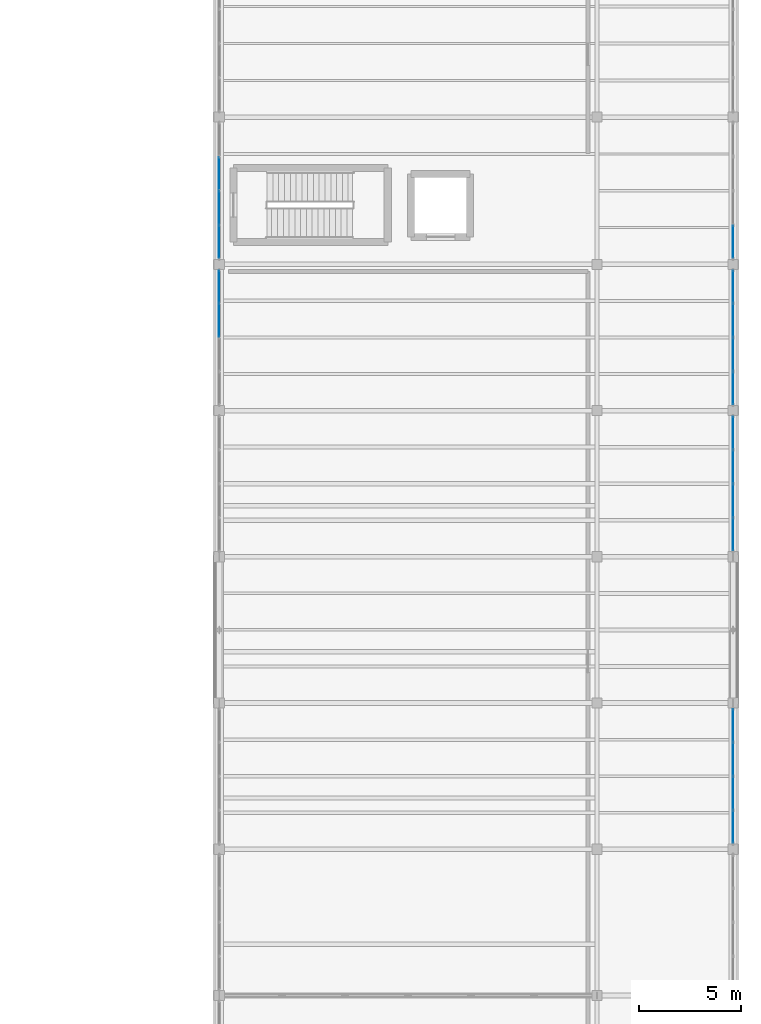
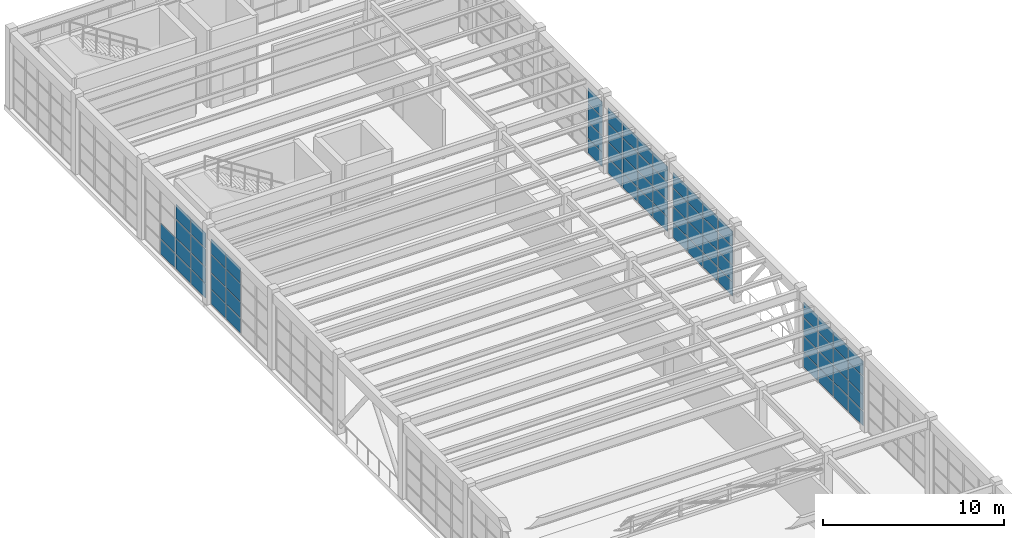
# One storey, part 81 of 103: 70 plates, 6 elements without a shape of their own.
"""IFC4 building model written with IfcOpenShell, lengths in metres."""

from ifc_helpers import new_model, si_unit, direction, frame, origin, origin_2d, place, context, subcontext, project, spatial, rectangle, extrude, material, layer, layer_set, type_object, element, aggregate, save


model = new_model("IFC4")

# Units and contexts
model_context = context("Model", 3, precision=1e-05, world=origin(), true_north=direction((0.0, 1.0)))
body_context = subcontext(model_context, "Body", "Model", "MODEL_VIEW")
ifc_project = project(units=[si_unit("LENGTHUNIT", "METRE"), si_unit("AREAUNIT", "SQUARE_METRE"), si_unit("VOLUMEUNIT", "CUBIC_METRE"), si_unit("PLANEANGLEUNIT", "RADIAN"), si_unit("MASSUNIT", "GRAM", prefix="KILO")], contexts=[model_context])

# Site, building, storey
site_placement = place(None, origin())
site = spatial("IfcSite", under=ifc_project, at=site_placement, CompositionType="ELEMENT")
building_placement = place(site_placement, origin())
building = spatial("IfcBuilding", under=site, at=building_placement, Name="Candilejo Ridge Gondola Terminal", CompositionType="ELEMENT")
storey_placement = place(building_placement, frame((0.0, 0.0, 9.0)))
storey = spatial("IfcBuildingStorey", under=building, at=storey_placement, Name="L02", CompositionType="ELEMENT", Elevation=9.0)

# Curtain wall, plates
ifc_material_1 = material(Name="Anodised aluminium AA 6063-T6", Category="aluminium")
ifc_layer_1 = layer(ifc_material_1, 0.169921875)
ifc_layer_set_1 = layer_set([ifc_layer_1], Name="ARC-CW-TOWER-3000-670X449")
curtain_wall_type_1 = type_object("IfcCurtainWallType", Name="ARC-CW-TOWER-3000-670X449", PredefinedType="NOTDEFINED", material=ifc_layer_set_1)
curtain_wall_1_placement = place(storey_placement, origin())
curtain_wall_1 = element("IfcCurtainWall", 1, at=curtain_wall_1_placement, inside=storey, type_object=curtain_wall_type_1, Name="Curtain wall V5 L02-181", PredefinedType="NOTDEFINED")
ifc_material_2 = material(Name="Low-E laminated double glazing 6+12A+6+1.52PVB+6 mm", Category="glass")
ifc_layer_2 = layer(ifc_material_2, 0.028076171875)
ifc_layer_set_2 = layer_set([ifc_layer_2], Name="ARC-CW-GLAZ-PANEL")
plate_type = type_object("IfcPlateType", Name="ARC-CW-GLAZ-PANEL", PredefinedType="CURTAIN_PANEL", material=ifc_layer_set_2)
plate_1_placement = place(storey_placement, frame((175.300048828125, 71.353759765625, 0.06005859375), z_axis=(0.0, 0.0, 1.0), x_axis=(0.0, 1.0, 0.0)))
plate_1 = element("IfcPlate", 2, at=plate_1_placement, type_object=plate_type, Name="CW-67X44 panel 1.1", PredefinedType="CURTAIN_PANEL", context=body_context, shape_type="SweptSolid", body=[
    extrude(rectangle(XDim=1.577392578125, YDim=0.028076171875, at=origin_2d()), origin(), (0.0, 0.0, 1.0), 0.9599609375),
])
plate_2_placement = place(storey_placement, frame((175.300048828125, 71.353759765625, 1.080078125), z_axis=(0.0, 0.0, 1.0), x_axis=(0.0, 1.0, 0.0)))
plate_2 = element("IfcPlate", 3, at=plate_2_placement, type_object=plate_type, Name="CW-67X44 panel 1.2", PredefinedType="CURTAIN_PANEL", context=body_context, shape_type="SweptSolid", body=[
    extrude(rectangle(XDim=1.577392578125, YDim=0.028076171875, at=origin_2d()), origin(), (0.0, 0.0, 1.0), 1.0400390625),
])
plate_3_placement = place(storey_placement, frame((175.300048828125, 71.353759765625, 2.179931640625), z_axis=(0.0, 0.0, 1.0), x_axis=(0.0, 1.0, 0.0)))
plate_3 = element("IfcPlate", 4, at=plate_3_placement, type_object=plate_type, Name="CW-67X44 panel 1.3", PredefinedType="CURTAIN_PANEL", context=body_context, shape_type="SweptSolid", body=[
    extrude(rectangle(XDim=1.577392578125, YDim=0.028076171875, at=origin_2d()), origin(), (0.0, 0.0, 1.0), 1.18994140625),
])
plate_4_placement = place(storey_placement, frame((175.300048828125, 71.353759765625, 3.429931640625), z_axis=(0.0, 0.0, 1.0), x_axis=(0.0, 1.0, 0.0)))
plate_4 = element("IfcPlate", 5, at=plate_4_placement, type_object=plate_type, Name="CW-67X44 panel 1.4", PredefinedType="CURTAIN_PANEL", context=body_context, shape_type="SweptSolid", body=[
    extrude(rectangle(XDim=1.577392578125, YDim=0.028076171875, at=origin_2d()), origin(), (0.0, 0.0, 1.0), 1.0),
])
plate_5_placement = place(storey_placement, frame((175.300048828125, 73.012451171875, 0.06005859375), z_axis=(0.0, 0.0, 1.0), x_axis=(0.0, 1.0, 0.0)))
plate_5 = element("IfcPlate", 6, at=plate_5_placement, type_object=plate_type, Name="CW-67X44 panel 2.1", PredefinedType="CURTAIN_PANEL", context=body_context, shape_type="SweptSolid", body=[
    extrude(rectangle(XDim=1.610107421875, YDim=0.028076171875, at=origin_2d()), origin(), (0.0, 0.0, 1.0), 0.9599609375),
])
plate_6_placement = place(storey_placement, frame((175.300048828125, 73.012451171875, 1.080078125), z_axis=(0.0, 0.0, 1.0), x_axis=(0.0, 1.0, 0.0)))
plate_6 = element("IfcPlate", 7, at=plate_6_placement, type_object=plate_type, Name="CW-67X44 panel 2.2", PredefinedType="CURTAIN_PANEL", context=body_context, shape_type="SweptSolid", body=[
    extrude(rectangle(XDim=1.610107421875, YDim=0.028076171875, at=origin_2d()), origin(), (0.0, 0.0, 1.0), 1.0400390625),
])
plate_7_placement = place(storey_placement, frame((175.300048828125, 73.012451171875, 2.179931640625), z_axis=(0.0, 0.0, 1.0), x_axis=(0.0, 1.0, 0.0)))
plate_7 = element("IfcPlate", 8, at=plate_7_placement, type_object=plate_type, Name="CW-67X44 panel 2.3", PredefinedType="CURTAIN_PANEL", context=body_context, shape_type="SweptSolid", body=[
    extrude(rectangle(XDim=1.610107421875, YDim=0.028076171875, at=origin_2d()), origin(), (0.0, 0.0, 1.0), 1.18994140625),
])
plate_8_placement = place(storey_placement, frame((175.300048828125, 73.012451171875, 3.429931640625), z_axis=(0.0, 0.0, 1.0), x_axis=(0.0, 1.0, 0.0)))
plate_8 = element("IfcPlate", 9, at=plate_8_placement, type_object=plate_type, Name="CW-67X44 panel 2.4", PredefinedType="CURTAIN_PANEL", context=body_context, shape_type="SweptSolid", body=[
    extrude(rectangle(XDim=1.610107421875, YDim=0.028076171875, at=origin_2d()), origin(), (0.0, 0.0, 1.0), 1.0),
])
plate_9_placement = place(storey_placement, frame((175.300048828125, 74.6875, 0.06005859375), z_axis=(0.0, 0.0, 1.0), x_axis=(0.0, 1.0, 0.0)))
plate_9 = element("IfcPlate", 10, at=plate_9_placement, type_object=plate_type, Name="CW-67X44 panel 3.1", PredefinedType="CURTAIN_PANEL", context=body_context, shape_type="SweptSolid", body=[
    extrude(rectangle(XDim=1.610107421875, YDim=0.028076171875, at=origin_2d()), origin(), (0.0, 0.0, 1.0), 0.9599609375),
])
plate_10_placement = place(storey_placement, frame((175.300048828125, 74.6875, 1.080078125), z_axis=(0.0, 0.0, 1.0), x_axis=(0.0, 1.0, 0.0)))
plate_10 = element("IfcPlate", 11, at=plate_10_placement, type_object=plate_type, Name="CW-67X44 panel 3.2", PredefinedType="CURTAIN_PANEL", context=body_context, shape_type="SweptSolid", body=[
    extrude(rectangle(XDim=1.610107421875, YDim=0.028076171875, at=origin_2d()), origin(), (0.0, 0.0, 1.0), 1.0400390625),
])
plate_11_placement = place(storey_placement, frame((175.300048828125, 74.6875, 2.179931640625), z_axis=(0.0, 0.0, 1.0), x_axis=(0.0, 1.0, 0.0)))
plate_11 = element("IfcPlate", 12, at=plate_11_placement, type_object=plate_type, Name="CW-67X44 panel 3.3", PredefinedType="CURTAIN_PANEL", context=body_context, shape_type="SweptSolid", body=[
    extrude(rectangle(XDim=1.610107421875, YDim=0.028076171875, at=origin_2d()), origin(), (0.0, 0.0, 1.0), 1.18994140625),
])
plate_12_placement = place(storey_placement, frame((175.300048828125, 74.6875, 3.429931640625), z_axis=(0.0, 0.0, 1.0), x_axis=(0.0, 1.0, 0.0)))
plate_12 = element("IfcPlate", 13, at=plate_12_placement, type_object=plate_type, Name="CW-67X44 panel 3.4", PredefinedType="CURTAIN_PANEL", context=body_context, shape_type="SweptSolid", body=[
    extrude(rectangle(XDim=1.610107421875, YDim=0.028076171875, at=origin_2d()), origin(), (0.0, 0.0, 1.0), 1.0),
])
plate_13_placement = place(storey_placement, frame((175.300048828125, 76.34619140625, 0.06005859375), z_axis=(0.0, 0.0, 1.0), x_axis=(0.0, 1.0, 0.0)))
plate_13 = element("IfcPlate", 14, at=plate_13_placement, type_object=plate_type, Name="CW-67X44 panel 4.1", PredefinedType="CURTAIN_PANEL", context=body_context, shape_type="SweptSolid", body=[
    extrude(rectangle(XDim=1.577392578125, YDim=0.028076171875, at=origin_2d()), origin(), (0.0, 0.0, 1.0), 0.9599609375),
])
plate_14_placement = place(storey_placement, frame((175.300048828125, 76.34619140625, 1.080078125), z_axis=(0.0, 0.0, 1.0), x_axis=(0.0, 1.0, 0.0)))
plate_14 = element("IfcPlate", 15, at=plate_14_placement, type_object=plate_type, Name="CW-67X44 panel 4.2", PredefinedType="CURTAIN_PANEL", context=body_context, shape_type="SweptSolid", body=[
    extrude(rectangle(XDim=1.577392578125, YDim=0.028076171875, at=origin_2d()), origin(), (0.0, 0.0, 1.0), 1.0400390625),
])
plate_15_placement = place(storey_placement, frame((175.300048828125, 76.34619140625, 2.179931640625), z_axis=(0.0, 0.0, 1.0), x_axis=(0.0, 1.0, 0.0)))
plate_15 = element("IfcPlate", 16, at=plate_15_placement, type_object=plate_type, Name="CW-67X44 panel 4.3", PredefinedType="CURTAIN_PANEL", context=body_context, shape_type="SweptSolid", body=[
    extrude(rectangle(XDim=1.577392578125, YDim=0.028076171875, at=origin_2d()), origin(), (0.0, 0.0, 1.0), 1.18994140625),
])
plate_16_placement = place(storey_placement, frame((175.300048828125, 76.34619140625, 3.429931640625), z_axis=(0.0, 0.0, 1.0), x_axis=(0.0, 1.0, 0.0)))
plate_16 = element("IfcPlate", 17, at=plate_16_placement, type_object=plate_type, Name="CW-67X44 panel 4.4", PredefinedType="CURTAIN_PANEL", context=body_context, shape_type="SweptSolid", body=[
    extrude(rectangle(XDim=1.577392578125, YDim=0.028076171875, at=origin_2d()), origin(), (0.0, 0.0, 1.0), 1.0),
])
aggregate(curtain_wall_1, [plate_1, plate_2, plate_3, plate_4, plate_5, plate_6, plate_7, plate_8, plate_9, plate_10, plate_11, plate_12, plate_13, plate_14, plate_15, plate_16])

curtain_wall_2_placement = place(storey_placement, origin())
curtain_wall_2 = element("IfcCurtainWall", 18, at=curtain_wall_2_placement, inside=storey, type_object=curtain_wall_type_1, Name="Curtain wall V5 L02-183", PredefinedType="NOTDEFINED")
plate_17_placement = place(storey_placement, frame((175.300048828125, 85.753662109375, 0.06005859375), z_axis=(0.0, 0.0, 1.0), x_axis=(0.0, 1.0, 0.0)))
plate_17 = element("IfcPlate", 19, at=plate_17_placement, type_object=plate_type, Name="CW-67X44 panel 1.1", PredefinedType="CURTAIN_PANEL", context=body_context, shape_type="SweptSolid", body=[
    extrude(rectangle(XDim=1.577392578125, YDim=0.028076171875, at=origin_2d()), origin(), (0.0, 0.0, 1.0), 0.9599609375),
])
plate_18_placement = place(storey_placement, frame((175.300048828125, 85.753662109375, 1.080078125), z_axis=(0.0, 0.0, 1.0), x_axis=(0.0, 1.0, 0.0)))
plate_18 = element("IfcPlate", 20, at=plate_18_placement, type_object=plate_type, Name="CW-67X44 panel 1.2", PredefinedType="CURTAIN_PANEL", context=body_context, shape_type="SweptSolid", body=[
    extrude(rectangle(XDim=1.577392578125, YDim=0.028076171875, at=origin_2d()), origin(), (0.0, 0.0, 1.0), 1.0400390625),
])
plate_19_placement = place(storey_placement, frame((175.300048828125, 85.753662109375, 2.179931640625), z_axis=(0.0, 0.0, 1.0), x_axis=(0.0, 1.0, 0.0)))
plate_19 = element("IfcPlate", 21, at=plate_19_placement, type_object=plate_type, Name="CW-67X44 panel 1.3", PredefinedType="CURTAIN_PANEL", context=body_context, shape_type="SweptSolid", body=[
    extrude(rectangle(XDim=1.577392578125, YDim=0.028076171875, at=origin_2d()), origin(), (0.0, 0.0, 1.0), 1.18994140625),
])
plate_20_placement = place(storey_placement, frame((175.300048828125, 85.753662109375, 3.429931640625), z_axis=(0.0, 0.0, 1.0), x_axis=(0.0, 1.0, 0.0)))
plate_20 = element("IfcPlate", 22, at=plate_20_placement, type_object=plate_type, Name="CW-67X44 panel 1.4", PredefinedType="CURTAIN_PANEL", context=body_context, shape_type="SweptSolid", body=[
    extrude(rectangle(XDim=1.577392578125, YDim=0.028076171875, at=origin_2d()), origin(), (0.0, 0.0, 1.0), 1.0),
])
plate_21_placement = place(storey_placement, frame((175.300048828125, 87.41259765625, 0.06005859375), z_axis=(0.0, 0.0, 1.0), x_axis=(0.0, 1.0, 0.0)))
plate_21 = element("IfcPlate", 23, at=plate_21_placement, type_object=plate_type, Name="CW-67X44 panel 2.1", PredefinedType="CURTAIN_PANEL", context=body_context, shape_type="SweptSolid", body=[
    extrude(rectangle(XDim=1.610107421875, YDim=0.028076171875, at=origin_2d()), origin(), (0.0, 0.0, 1.0), 0.9599609375),
])
plate_22_placement = place(storey_placement, frame((175.300048828125, 87.41259765625, 1.080078125), z_axis=(0.0, 0.0, 1.0), x_axis=(0.0, 1.0, 0.0)))
plate_22 = element("IfcPlate", 24, at=plate_22_placement, type_object=plate_type, Name="CW-67X44 panel 2.2", PredefinedType="CURTAIN_PANEL", context=body_context, shape_type="SweptSolid", body=[
    extrude(rectangle(XDim=1.610107421875, YDim=0.028076171875, at=origin_2d()), origin(), (0.0, 0.0, 1.0), 1.0400390625),
])
plate_23_placement = place(storey_placement, frame((175.300048828125, 87.41259765625, 2.179931640625), z_axis=(0.0, 0.0, 1.0), x_axis=(0.0, 1.0, 0.0)))
plate_23 = element("IfcPlate", 25, at=plate_23_placement, type_object=plate_type, Name="CW-67X44 panel 2.3", PredefinedType="CURTAIN_PANEL", context=body_context, shape_type="SweptSolid", body=[
    extrude(rectangle(XDim=1.610107421875, YDim=0.028076171875, at=origin_2d()), origin(), (0.0, 0.0, 1.0), 1.18994140625),
])
plate_24_placement = place(storey_placement, frame((175.300048828125, 87.41259765625, 3.429931640625), z_axis=(0.0, 0.0, 1.0), x_axis=(0.0, 1.0, 0.0)))
plate_24 = element("IfcPlate", 26, at=plate_24_placement, type_object=plate_type, Name="CW-67X44 panel 2.4", PredefinedType="CURTAIN_PANEL", context=body_context, shape_type="SweptSolid", body=[
    extrude(rectangle(XDim=1.610107421875, YDim=0.028076171875, at=origin_2d()), origin(), (0.0, 0.0, 1.0), 1.0),
])
plate_25_placement = place(storey_placement, frame((175.300048828125, 89.08740234375, 0.06005859375), z_axis=(0.0, 0.0, 1.0), x_axis=(0.0, 1.0, 0.0)))
plate_25 = element("IfcPlate", 27, at=plate_25_placement, type_object=plate_type, Name="CW-67X44 panel 3.1", PredefinedType="CURTAIN_PANEL", context=body_context, shape_type="SweptSolid", body=[
    extrude(rectangle(XDim=1.610107421875, YDim=0.028076171875, at=origin_2d()), origin(), (0.0, 0.0, 1.0), 0.9599609375),
])
plate_26_placement = place(storey_placement, frame((175.300048828125, 89.08740234375, 1.080078125), z_axis=(0.0, 0.0, 1.0), x_axis=(0.0, 1.0, 0.0)))
plate_26 = element("IfcPlate", 28, at=plate_26_placement, type_object=plate_type, Name="CW-67X44 panel 3.2", PredefinedType="CURTAIN_PANEL", context=body_context, shape_type="SweptSolid", body=[
    extrude(rectangle(XDim=1.610107421875, YDim=0.028076171875, at=origin_2d()), origin(), (0.0, 0.0, 1.0), 1.0400390625),
])
plate_27_placement = place(storey_placement, frame((175.300048828125, 89.08740234375, 2.179931640625), z_axis=(0.0, 0.0, 1.0), x_axis=(0.0, 1.0, 0.0)))
plate_27 = element("IfcPlate", 29, at=plate_27_placement, type_object=plate_type, Name="CW-67X44 panel 3.3", PredefinedType="CURTAIN_PANEL", context=body_context, shape_type="SweptSolid", body=[
    extrude(rectangle(XDim=1.610107421875, YDim=0.028076171875, at=origin_2d()), origin(), (0.0, 0.0, 1.0), 1.18994140625),
])
plate_28_placement = place(storey_placement, frame((175.300048828125, 89.08740234375, 3.429931640625), z_axis=(0.0, 0.0, 1.0), x_axis=(0.0, 1.0, 0.0)))
plate_28 = element("IfcPlate", 30, at=plate_28_placement, type_object=plate_type, Name="CW-67X44 panel 3.4", PredefinedType="CURTAIN_PANEL", context=body_context, shape_type="SweptSolid", body=[
    extrude(rectangle(XDim=1.610107421875, YDim=0.028076171875, at=origin_2d()), origin(), (0.0, 0.0, 1.0), 1.0),
])
plate_29_placement = place(storey_placement, frame((175.300048828125, 90.746337890625, 0.06005859375), z_axis=(0.0, 0.0, 1.0), x_axis=(0.0, 1.0, 0.0)))
plate_29 = element("IfcPlate", 31, at=plate_29_placement, type_object=plate_type, Name="CW-67X44 panel 4.1", PredefinedType="CURTAIN_PANEL", context=body_context, shape_type="SweptSolid", body=[
    extrude(rectangle(XDim=1.577392578125, YDim=0.028076171875, at=origin_2d()), origin(), (0.0, 0.0, 1.0), 0.9599609375),
])
plate_30_placement = place(storey_placement, frame((175.300048828125, 90.746337890625, 1.080078125), z_axis=(0.0, 0.0, 1.0), x_axis=(0.0, 1.0, 0.0)))
plate_30 = element("IfcPlate", 32, at=plate_30_placement, type_object=plate_type, Name="CW-67X44 panel 4.2", PredefinedType="CURTAIN_PANEL", context=body_context, shape_type="SweptSolid", body=[
    extrude(rectangle(XDim=1.577392578125, YDim=0.028076171875, at=origin_2d()), origin(), (0.0, 0.0, 1.0), 1.0400390625),
])
plate_31_placement = place(storey_placement, frame((175.300048828125, 90.746337890625, 2.179931640625), z_axis=(0.0, 0.0, 1.0), x_axis=(0.0, 1.0, 0.0)))
plate_31 = element("IfcPlate", 33, at=plate_31_placement, type_object=plate_type, Name="CW-67X44 panel 4.3", PredefinedType="CURTAIN_PANEL", context=body_context, shape_type="SweptSolid", body=[
    extrude(rectangle(XDim=1.577392578125, YDim=0.028076171875, at=origin_2d()), origin(), (0.0, 0.0, 1.0), 1.18994140625),
])
plate_32_placement = place(storey_placement, frame((175.300048828125, 90.746337890625, 3.429931640625), z_axis=(0.0, 0.0, 1.0), x_axis=(0.0, 1.0, 0.0)))
plate_32 = element("IfcPlate", 34, at=plate_32_placement, type_object=plate_type, Name="CW-67X44 panel 4.4", PredefinedType="CURTAIN_PANEL", context=body_context, shape_type="SweptSolid", body=[
    extrude(rectangle(XDim=1.577392578125, YDim=0.028076171875, at=origin_2d()), origin(), (0.0, 0.0, 1.0), 1.0),
])
aggregate(curtain_wall_2, [plate_17, plate_18, plate_19, plate_20, plate_21, plate_22, plate_23, plate_24, plate_25, plate_26, plate_27, plate_28, plate_29, plate_30, plate_31, plate_32])

curtain_wall_3_placement = place(storey_placement, origin())
curtain_wall_3 = element("IfcCurtainWall", 35, at=curtain_wall_3_placement, inside=storey, type_object=curtain_wall_type_1, Name="Curtain wall V5 L02-184", PredefinedType="NOTDEFINED")
plate_33_placement = place(storey_placement, frame((150.0, 96.28759765625, 0.06005859375), z_axis=(0.0, 0.0, 1.0), x_axis=(0.0, 1.0, 0.0)))
plate_33 = element("IfcPlate", 36, at=plate_33_placement, type_object=plate_type, Name="CW-67X44 panel 3.1", PredefinedType="CURTAIN_PANEL", context=body_context, shape_type="SweptSolid", body=[
    extrude(rectangle(XDim=1.610107421875, YDim=0.028076171875, at=origin_2d()), origin(), (0.0, 0.0, 1.0), 0.9599609375),
])
plate_34_placement = place(storey_placement, frame((150.0, 96.28759765625, 1.080078125), z_axis=(0.0, 0.0, 1.0), x_axis=(0.0, 1.0, 0.0)))
plate_34 = element("IfcPlate", 37, at=plate_34_placement, type_object=plate_type, Name="CW-67X44 panel 3.2", PredefinedType="CURTAIN_PANEL", context=body_context, shape_type="SweptSolid", body=[
    extrude(rectangle(XDim=1.610107421875, YDim=0.028076171875, at=origin_2d()), origin(), (0.0, 0.0, 1.0), 1.0400390625),
])
plate_35_placement = place(storey_placement, frame((150.0, 96.28759765625, 2.179931640625), z_axis=(0.0, 0.0, 1.0), x_axis=(0.0, 1.0, 0.0)))
plate_35 = element("IfcPlate", 38, at=plate_35_placement, type_object=plate_type, Name="CW-67X44 panel 3.3", PredefinedType="CURTAIN_PANEL", context=body_context, shape_type="SweptSolid", body=[
    extrude(rectangle(XDim=1.610107421875, YDim=0.028076171875, at=origin_2d()), origin(), (0.0, 0.0, 1.0), 1.18994140625),
])
plate_36_placement = place(storey_placement, frame((150.0, 96.28759765625, 3.429931640625), z_axis=(0.0, 0.0, 1.0), x_axis=(0.0, 1.0, 0.0)))
plate_36 = element("IfcPlate", 39, at=plate_36_placement, type_object=plate_type, Name="CW-67X44 panel 3.4", PredefinedType="CURTAIN_PANEL", context=body_context, shape_type="SweptSolid", body=[
    extrude(rectangle(XDim=1.610107421875, YDim=0.028076171875, at=origin_2d()), origin(), (0.0, 0.0, 1.0), 1.0),
])
plate_37_placement = place(storey_placement, frame((150.0, 97.9462890625, 0.06005859375), z_axis=(0.0, 0.0, 1.0), x_axis=(0.0, 1.0, 0.0)))
plate_37 = element("IfcPlate", 40, at=plate_37_placement, type_object=plate_type, Name="CW-67X44 panel 4.1", PredefinedType="CURTAIN_PANEL", context=body_context, shape_type="SweptSolid", body=[
    extrude(rectangle(XDim=1.577392578125, YDim=0.028076171875, at=origin_2d()), origin(), (0.0, 0.0, 1.0), 0.9599609375),
])
plate_38_placement = place(storey_placement, frame((150.0, 97.9462890625, 1.080078125), z_axis=(0.0, 0.0, 1.0), x_axis=(0.0, 1.0, 0.0)))
plate_38 = element("IfcPlate", 41, at=plate_38_placement, type_object=plate_type, Name="CW-67X44 panel 4.2", PredefinedType="CURTAIN_PANEL", context=body_context, shape_type="SweptSolid", body=[
    extrude(rectangle(XDim=1.577392578125, YDim=0.028076171875, at=origin_2d()), origin(), (0.0, 0.0, 1.0), 1.0400390625),
])
plate_39_placement = place(storey_placement, frame((150.0, 97.9462890625, 2.179931640625), z_axis=(0.0, 0.0, 1.0), x_axis=(0.0, 1.0, 0.0)))
plate_39 = element("IfcPlate", 42, at=plate_39_placement, type_object=plate_type, Name="CW-67X44 panel 4.3", PredefinedType="CURTAIN_PANEL", context=body_context, shape_type="SweptSolid", body=[
    extrude(rectangle(XDim=1.577392578125, YDim=0.028076171875, at=origin_2d()), origin(), (0.0, 0.0, 1.0), 1.18994140625),
])
plate_40_placement = place(storey_placement, frame((150.0, 97.9462890625, 3.429931640625), z_axis=(0.0, 0.0, 1.0), x_axis=(0.0, 1.0, 0.0)))
plate_40 = element("IfcPlate", 43, at=plate_40_placement, type_object=plate_type, Name="CW-67X44 panel 4.4", PredefinedType="CURTAIN_PANEL", context=body_context, shape_type="SweptSolid", body=[
    extrude(rectangle(XDim=1.577392578125, YDim=0.028076171875, at=origin_2d()), origin(), (0.0, 0.0, 1.0), 1.0),
])
aggregate(curtain_wall_3, [plate_33, plate_34, plate_35, plate_36, plate_37, plate_38, plate_39, plate_40])

curtain_wall_4_placement = place(storey_placement, origin())
curtain_wall_4 = element("IfcCurtainWall", 44, at=curtain_wall_4_placement, inside=storey, type_object=curtain_wall_type_1, Name="Curtain wall V5 L02-185", PredefinedType="NOTDEFINED")
plate_41_placement = place(storey_placement, frame((175.300048828125, 92.953857421875, 0.06005859375), z_axis=(0.0, 0.0, 1.0), x_axis=(0.0, 1.0, 0.0)))
plate_41 = element("IfcPlate", 45, at=plate_41_placement, type_object=plate_type, Name="CW-67X44 panel 1.1", PredefinedType="CURTAIN_PANEL", context=body_context, shape_type="SweptSolid", body=[
    extrude(rectangle(XDim=1.577392578125, YDim=0.028076171875, at=origin_2d()), origin(), (0.0, 0.0, 1.0), 0.9599609375),
])
plate_42_placement = place(storey_placement, frame((175.300048828125, 92.953857421875, 1.080078125), z_axis=(0.0, 0.0, 1.0), x_axis=(0.0, 1.0, 0.0)))
plate_42 = element("IfcPlate", 46, at=plate_42_placement, type_object=plate_type, Name="CW-67X44 panel 1.2", PredefinedType="CURTAIN_PANEL", context=body_context, shape_type="SweptSolid", body=[
    extrude(rectangle(XDim=1.577392578125, YDim=0.028076171875, at=origin_2d()), origin(), (0.0, 0.0, 1.0), 1.0400390625),
])
plate_43_placement = place(storey_placement, frame((175.300048828125, 92.953857421875, 2.179931640625), z_axis=(0.0, 0.0, 1.0), x_axis=(0.0, 1.0, 0.0)))
plate_43 = element("IfcPlate", 47, at=plate_43_placement, type_object=plate_type, Name="CW-67X44 panel 1.3", PredefinedType="CURTAIN_PANEL", context=body_context, shape_type="SweptSolid", body=[
    extrude(rectangle(XDim=1.577392578125, YDim=0.028076171875, at=origin_2d()), origin(), (0.0, 0.0, 1.0), 1.18994140625),
])
plate_44_placement = place(storey_placement, frame((175.300048828125, 92.953857421875, 3.429931640625), z_axis=(0.0, 0.0, 1.0), x_axis=(0.0, 1.0, 0.0)))
plate_44 = element("IfcPlate", 48, at=plate_44_placement, type_object=plate_type, Name="CW-67X44 panel 1.4", PredefinedType="CURTAIN_PANEL", context=body_context, shape_type="SweptSolid", body=[
    extrude(rectangle(XDim=1.577392578125, YDim=0.028076171875, at=origin_2d()), origin(), (0.0, 0.0, 1.0), 1.0),
])
plate_45_placement = place(storey_placement, frame((175.300048828125, 94.612548828125, 0.06005859375), z_axis=(0.0, 0.0, 1.0), x_axis=(0.0, 1.0, 0.0)))
plate_45 = element("IfcPlate", 49, at=plate_45_placement, type_object=plate_type, Name="CW-67X44 panel 2.1", PredefinedType="CURTAIN_PANEL", context=body_context, shape_type="SweptSolid", body=[
    extrude(rectangle(XDim=1.610107421875, YDim=0.028076171875, at=origin_2d()), origin(), (0.0, 0.0, 1.0), 0.9599609375),
])
plate_46_placement = place(storey_placement, frame((175.300048828125, 94.612548828125, 1.080078125), z_axis=(0.0, 0.0, 1.0), x_axis=(0.0, 1.0, 0.0)))
plate_46 = element("IfcPlate", 50, at=plate_46_placement, type_object=plate_type, Name="CW-67X44 panel 2.2", PredefinedType="CURTAIN_PANEL", context=body_context, shape_type="SweptSolid", body=[
    extrude(rectangle(XDim=1.610107421875, YDim=0.028076171875, at=origin_2d()), origin(), (0.0, 0.0, 1.0), 1.0400390625),
])
plate_47_placement = place(storey_placement, frame((175.300048828125, 94.612548828125, 2.179931640625), z_axis=(0.0, 0.0, 1.0), x_axis=(0.0, 1.0, 0.0)))
plate_47 = element("IfcPlate", 51, at=plate_47_placement, type_object=plate_type, Name="CW-67X44 panel 2.3", PredefinedType="CURTAIN_PANEL", context=body_context, shape_type="SweptSolid", body=[
    extrude(rectangle(XDim=1.610107421875, YDim=0.028076171875, at=origin_2d()), origin(), (0.0, 0.0, 1.0), 1.18994140625),
])
plate_48_placement = place(storey_placement, frame((175.300048828125, 94.612548828125, 3.429931640625), z_axis=(0.0, 0.0, 1.0), x_axis=(0.0, 1.0, 0.0)))
plate_48 = element("IfcPlate", 52, at=plate_48_placement, type_object=plate_type, Name="CW-67X44 panel 2.4", PredefinedType="CURTAIN_PANEL", context=body_context, shape_type="SweptSolid", body=[
    extrude(rectangle(XDim=1.610107421875, YDim=0.028076171875, at=origin_2d()), origin(), (0.0, 0.0, 1.0), 1.0),
])
plate_49_placement = place(storey_placement, frame((175.300048828125, 96.28759765625, 0.06005859375), z_axis=(0.0, 0.0, 1.0), x_axis=(0.0, 1.0, 0.0)))
plate_49 = element("IfcPlate", 53, at=plate_49_placement, type_object=plate_type, Name="CW-67X44 panel 3.1", PredefinedType="CURTAIN_PANEL", context=body_context, shape_type="SweptSolid", body=[
    extrude(rectangle(XDim=1.610107421875, YDim=0.028076171875, at=origin_2d()), origin(), (0.0, 0.0, 1.0), 0.9599609375),
])
plate_50_placement = place(storey_placement, frame((175.300048828125, 96.28759765625, 1.080078125), z_axis=(0.0, 0.0, 1.0), x_axis=(0.0, 1.0, 0.0)))
plate_50 = element("IfcPlate", 54, at=plate_50_placement, type_object=plate_type, Name="CW-67X44 panel 3.2", PredefinedType="CURTAIN_PANEL", context=body_context, shape_type="SweptSolid", body=[
    extrude(rectangle(XDim=1.610107421875, YDim=0.028076171875, at=origin_2d()), origin(), (0.0, 0.0, 1.0), 1.0400390625),
])
plate_51_placement = place(storey_placement, frame((175.300048828125, 96.28759765625, 2.179931640625), z_axis=(0.0, 0.0, 1.0), x_axis=(0.0, 1.0, 0.0)))
plate_51 = element("IfcPlate", 55, at=plate_51_placement, type_object=plate_type, Name="CW-67X44 panel 3.3", PredefinedType="CURTAIN_PANEL", context=body_context, shape_type="SweptSolid", body=[
    extrude(rectangle(XDim=1.610107421875, YDim=0.028076171875, at=origin_2d()), origin(), (0.0, 0.0, 1.0), 1.18994140625),
])
plate_52_placement = place(storey_placement, frame((175.300048828125, 96.28759765625, 3.429931640625), z_axis=(0.0, 0.0, 1.0), x_axis=(0.0, 1.0, 0.0)))
plate_52 = element("IfcPlate", 56, at=plate_52_placement, type_object=plate_type, Name="CW-67X44 panel 3.4", PredefinedType="CURTAIN_PANEL", context=body_context, shape_type="SweptSolid", body=[
    extrude(rectangle(XDim=1.610107421875, YDim=0.028076171875, at=origin_2d()), origin(), (0.0, 0.0, 1.0), 1.0),
])
plate_53_placement = place(storey_placement, frame((175.300048828125, 97.9462890625, 0.06005859375), z_axis=(0.0, 0.0, 1.0), x_axis=(0.0, 1.0, 0.0)))
plate_53 = element("IfcPlate", 57, at=plate_53_placement, type_object=plate_type, Name="CW-67X44 panel 4.1", PredefinedType="CURTAIN_PANEL", context=body_context, shape_type="SweptSolid", body=[
    extrude(rectangle(XDim=1.577392578125, YDim=0.028076171875, at=origin_2d()), origin(), (0.0, 0.0, 1.0), 0.9599609375),
])
plate_54_placement = place(storey_placement, frame((175.300048828125, 97.9462890625, 1.080078125), z_axis=(0.0, 0.0, 1.0), x_axis=(0.0, 1.0, 0.0)))
plate_54 = element("IfcPlate", 58, at=plate_54_placement, type_object=plate_type, Name="CW-67X44 panel 4.2", PredefinedType="CURTAIN_PANEL", context=body_context, shape_type="SweptSolid", body=[
    extrude(rectangle(XDim=1.577392578125, YDim=0.028076171875, at=origin_2d()), origin(), (0.0, 0.0, 1.0), 1.0400390625),
])
plate_55_placement = place(storey_placement, frame((175.300048828125, 97.9462890625, 2.179931640625), z_axis=(0.0, 0.0, 1.0), x_axis=(0.0, 1.0, 0.0)))
plate_55 = element("IfcPlate", 59, at=plate_55_placement, type_object=plate_type, Name="CW-67X44 panel 4.3", PredefinedType="CURTAIN_PANEL", context=body_context, shape_type="SweptSolid", body=[
    extrude(rectangle(XDim=1.577392578125, YDim=0.028076171875, at=origin_2d()), origin(), (0.0, 0.0, 1.0), 1.18994140625),
])
plate_56_placement = place(storey_placement, frame((175.300048828125, 97.9462890625, 3.429931640625), z_axis=(0.0, 0.0, 1.0), x_axis=(0.0, 1.0, 0.0)))
plate_56 = element("IfcPlate", 60, at=plate_56_placement, type_object=plate_type, Name="CW-67X44 panel 4.4", PredefinedType="CURTAIN_PANEL", context=body_context, shape_type="SweptSolid", body=[
    extrude(rectangle(XDim=1.577392578125, YDim=0.028076171875, at=origin_2d()), origin(), (0.0, 0.0, 1.0), 1.0),
])
aggregate(curtain_wall_4, [plate_41, plate_42, plate_43, plate_44, plate_45, plate_46, plate_47, plate_48, plate_49, plate_50, plate_51, plate_52, plate_53, plate_54, plate_55, plate_56])

ifc_material_3 = material(Name="Anodised aluminium AA 6063-T6", Category="aluminium")
ifc_layer_3 = layer(ifc_material_3, 0.169921875)
ifc_layer_set_3 = layer_set([ifc_layer_3], Name="ARC-CW-TOWER-3000-675X449")
curtain_wall_type_2 = type_object("IfcCurtainWallType", Name="ARC-CW-TOWER-3000-675X449", PredefinedType="NOTDEFINED", material=ifc_layer_set_3)
curtain_wall_5_placement = place(storey_placement, origin())
curtain_wall_5 = element("IfcCurtainWall", 61, at=curtain_wall_5_placement, inside=storey, type_object=curtain_wall_type_2, Name="Curtain wall V5 L02-186", PredefinedType="NOTDEFINED")
plate_57_placement = place(storey_placement, frame((150.0, 100.159912109375, 0.06005859375), z_axis=(0.0, 0.0, 1.0), x_axis=(0.0, 1.0, 0.0)))
plate_57 = element("IfcPlate", 62, at=plate_57_placement, type_object=plate_type, Name="CW-67X44 panel 1.1", PredefinedType="CURTAIN_PANEL", context=body_context, shape_type="SweptSolid", body=[
    extrude(rectangle(XDim=1.590087890625, YDim=0.028076171875, at=origin_2d()), origin(), (0.0, 0.0, 1.0), 0.9599609375),
])
plate_58_placement = place(storey_placement, frame((150.0, 100.159912109375, 1.080078125), z_axis=(0.0, 0.0, 1.0), x_axis=(0.0, 1.0, 0.0)))
plate_58 = element("IfcPlate", 63, at=plate_58_placement, type_object=plate_type, Name="CW-67X44 panel 1.2", PredefinedType="CURTAIN_PANEL", context=body_context, shape_type="SweptSolid", body=[
    extrude(rectangle(XDim=1.590087890625, YDim=0.028076171875, at=origin_2d()), origin(), (0.0, 0.0, 1.0), 1.0400390625),
])
plate_59_placement = place(storey_placement, frame((150.0, 100.159912109375, 2.179931640625), z_axis=(0.0, 0.0, 1.0), x_axis=(0.0, 1.0, 0.0)))
plate_59 = element("IfcPlate", 64, at=plate_59_placement, type_object=plate_type, Name="CW-67X44 panel 1.3", PredefinedType="CURTAIN_PANEL", context=body_context, shape_type="SweptSolid", body=[
    extrude(rectangle(XDim=1.590087890625, YDim=0.028076171875, at=origin_2d()), origin(), (0.0, 0.0, 1.0), 1.18994140625),
])
plate_60_placement = place(storey_placement, frame((150.0, 100.159912109375, 3.429931640625), z_axis=(0.0, 0.0, 1.0), x_axis=(0.0, 1.0, 0.0)))
plate_60 = element("IfcPlate", 65, at=plate_60_placement, type_object=plate_type, Name="CW-67X44 panel 1.4", PredefinedType="CURTAIN_PANEL", context=body_context, shape_type="SweptSolid", body=[
    extrude(rectangle(XDim=1.590087890625, YDim=0.028076171875, at=origin_2d()), origin(), (0.0, 0.0, 1.0), 1.0),
])
plate_61_placement = place(storey_placement, frame((150.0, 101.831298828125, 0.06005859375), z_axis=(0.0, 0.0, 1.0), x_axis=(0.0, 1.0, 0.0)))
plate_61 = element("IfcPlate", 66, at=plate_61_placement, type_object=plate_type, Name="CW-67X44 panel 2.1", PredefinedType="CURTAIN_PANEL", context=body_context, shape_type="SweptSolid", body=[
    extrude(rectangle(XDim=1.62255859375, YDim=0.028076171875, at=origin_2d()), origin(), (0.0, 0.0, 1.0), 0.9599609375),
])
plate_62_placement = place(storey_placement, frame((150.0, 101.831298828125, 1.080078125), z_axis=(0.0, 0.0, 1.0), x_axis=(0.0, 1.0, 0.0)))
plate_62 = element("IfcPlate", 67, at=plate_62_placement, type_object=plate_type, Name="CW-67X44 panel 2.2", PredefinedType="CURTAIN_PANEL", context=body_context, shape_type="SweptSolid", body=[
    extrude(rectangle(XDim=1.62255859375, YDim=0.028076171875, at=origin_2d()), origin(), (0.0, 0.0, 1.0), 1.0400390625),
])
plate_63_placement = place(storey_placement, frame((150.0, 101.831298828125, 2.179931640625), z_axis=(0.0, 0.0, 1.0), x_axis=(0.0, 1.0, 0.0)))
plate_63 = element("IfcPlate", 68, at=plate_63_placement, type_object=plate_type, Name="CW-67X44 panel 2.3", PredefinedType="CURTAIN_PANEL", context=body_context, shape_type="SweptSolid", body=[
    extrude(rectangle(XDim=1.62255859375, YDim=0.028076171875, at=origin_2d()), origin(), (0.0, 0.0, 1.0), 1.18994140625),
])
plate_64_placement = place(storey_placement, frame((150.0, 101.831298828125, 3.429931640625), z_axis=(0.0, 0.0, 1.0), x_axis=(0.0, 1.0, 0.0)))
plate_64 = element("IfcPlate", 69, at=plate_64_placement, type_object=plate_type, Name="CW-67X44 panel 2.4", PredefinedType="CURTAIN_PANEL", context=body_context, shape_type="SweptSolid", body=[
    extrude(rectangle(XDim=1.62255859375, YDim=0.028076171875, at=origin_2d()), origin(), (0.0, 0.0, 1.0), 1.0),
])
plate_65_placement = place(storey_placement, frame((150.0, 103.518798828125, 0.06005859375), z_axis=(0.0, 0.0, 1.0), x_axis=(0.0, 1.0, 0.0)))
plate_65 = element("IfcPlate", 70, at=plate_65_placement, type_object=plate_type, Name="CW-67X44 panel 3.1", PredefinedType="CURTAIN_PANEL", context=body_context, shape_type="SweptSolid", body=[
    extrude(rectangle(XDim=1.62255859375, YDim=0.028076171875, at=origin_2d()), origin(), (0.0, 0.0, 1.0), 0.9599609375),
])
plate_66_placement = place(storey_placement, frame((150.0, 103.518798828125, 1.080078125), z_axis=(0.0, 0.0, 1.0), x_axis=(0.0, 1.0, 0.0)))
plate_66 = element("IfcPlate", 71, at=plate_66_placement, type_object=plate_type, Name="CW-67X44 panel 3.2", PredefinedType="CURTAIN_PANEL", context=body_context, shape_type="SweptSolid", body=[
    extrude(rectangle(XDim=1.62255859375, YDim=0.028076171875, at=origin_2d()), origin(), (0.0, 0.0, 1.0), 1.0400390625),
])
aggregate(curtain_wall_5, [plate_57, plate_58, plate_59, plate_60, plate_61, plate_62, plate_63, plate_64, plate_65, plate_66])

curtain_wall_6_placement = place(storey_placement, origin())
curtain_wall_6 = element("IfcCurtainWall", 72, at=curtain_wall_6_placement, inside=storey, type_object=curtain_wall_type_2, Name="Curtain wall V5 L02-187", PredefinedType="NOTDEFINED")
plate_67_placement = place(storey_placement, frame((175.300048828125, 100.159912109375, 0.06005859375), z_axis=(0.0, 0.0, 1.0), x_axis=(0.0, 1.0, 0.0)))
plate_67 = element("IfcPlate", 73, at=plate_67_placement, type_object=plate_type, Name="CW-67X44 panel 1.1", PredefinedType="CURTAIN_PANEL", context=body_context, shape_type="SweptSolid", body=[
    extrude(rectangle(XDim=1.590087890625, YDim=0.028076171875, at=origin_2d()), origin(), (0.0, 0.0, 1.0), 0.9599609375),
])
plate_68_placement = place(storey_placement, frame((175.300048828125, 100.159912109375, 1.080078125), z_axis=(0.0, 0.0, 1.0), x_axis=(0.0, 1.0, 0.0)))
plate_68 = element("IfcPlate", 74, at=plate_68_placement, type_object=plate_type, Name="CW-67X44 panel 1.2", PredefinedType="CURTAIN_PANEL", context=body_context, shape_type="SweptSolid", body=[
    extrude(rectangle(XDim=1.590087890625, YDim=0.028076171875, at=origin_2d()), origin(), (0.0, 0.0, 1.0), 1.0400390625),
])
plate_69_placement = place(storey_placement, frame((175.300048828125, 100.159912109375, 2.179931640625), z_axis=(0.0, 0.0, 1.0), x_axis=(0.0, 1.0, 0.0)))
plate_69 = element("IfcPlate", 75, at=plate_69_placement, type_object=plate_type, Name="CW-67X44 panel 1.3", PredefinedType="CURTAIN_PANEL", context=body_context, shape_type="SweptSolid", body=[
    extrude(rectangle(XDim=1.590087890625, YDim=0.028076171875, at=origin_2d()), origin(), (0.0, 0.0, 1.0), 1.18994140625),
])
plate_70_placement = place(storey_placement, frame((175.300048828125, 100.159912109375, 3.429931640625), z_axis=(0.0, 0.0, 1.0), x_axis=(0.0, 1.0, 0.0)))
plate_70 = element("IfcPlate", 76, at=plate_70_placement, type_object=plate_type, Name="CW-67X44 panel 1.4", PredefinedType="CURTAIN_PANEL", context=body_context, shape_type="SweptSolid", body=[
    extrude(rectangle(XDim=1.590087890625, YDim=0.028076171875, at=origin_2d()), origin(), (0.0, 0.0, 1.0), 1.0),
])
aggregate(curtain_wall_6, [plate_67, plate_68, plate_69, plate_70])

save(model, "model.ifc")
